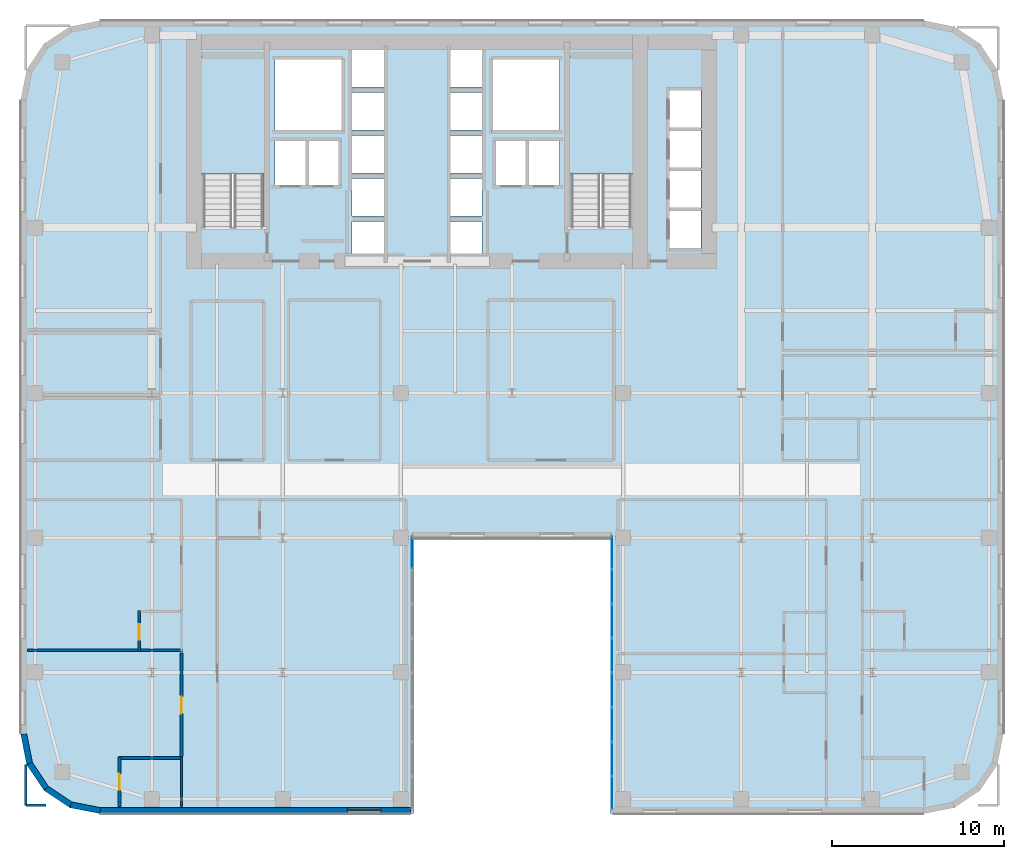
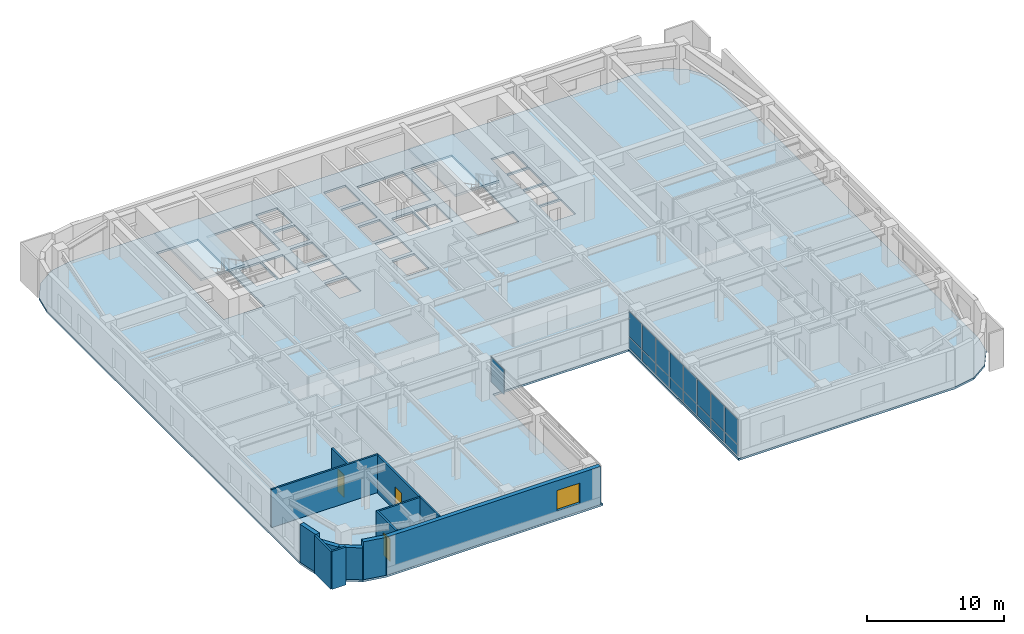
# One storey, part 13 of 24: 17 plates, 13 walls, 3 doors, 3 slabs, 1 window, 4 openings, 4 elements without a shape of their own.
"""IFC4 building model written with IfcOpenShell, lengths in metres."""

import ifcopenshell
import ifcopenshell.guid

model = None  # the IFC model being written
_history = None  # IfcOwnerHistory: only IFC2X3 demands one
_inside = {}  # id of a spatial element -> (the spatial element, [elements in it])
_under = {}  # id of a project, library or spatial element -> (it, [spatial elements below it])
_declared = {}  # id of a project -> (the project, [libraries it declares])
_typed = {}  # id of a type object -> (the type object, [elements of that type])
_made_of = {}  # id of a material, layer set ... -> (it, [elements and type objects made of it])


def new_model(schema):
    """Start an empty IFC model of exactly this schema.

    Asked for "IFC4X3", IfcOpenShell would pick the latest addendum, in which some entities
    have other attributes; the version numbers below select the first issue.
    IFC2X3 requires an IfcOwnerHistory on every rooted entity: one is made here for all.
    """
    global model, _history
    if schema == "IFC4X3":
        model = ifcopenshell.file(schema_version=(4, 3, 0, 0))
    else:
        model = ifcopenshell.file(schema=schema)
    _inside.clear()
    _under.clear()
    _declared.clear()
    _typed.clear()
    _made_of.clear()
    _history = None
    if model.schema == "IFC2X3":
        org = make("IfcOrganization", Name="unknown")
        user = make(
            "IfcPersonAndOrganization",
            ThePerson=make("IfcPerson", FamilyName="unknown"),
            TheOrganization=org,
        )
        app = make(
            "IfcApplication",
            ApplicationDeveloper=org,
            Version="unknown",
            ApplicationFullName="unknown",
            ApplicationIdentifier="unknown",
        )
        _history = make(
            "IfcOwnerHistory",
            OwningUser=user,
            OwningApplication=app,
            ChangeAction="ADDED",
            CreationDate=0,
        )
    return model


def make(cls, **values):
    """One entity of the class cls with the attributes given. An attribute that is None is left unset."""
    return model.create_entity(
        cls, **{name: value for name, value in values.items() if value is not None}
    )


def rooted(cls, **values):
    """An entity with a GlobalId (a new one), such as an element, a storey or a relation."""
    return make(cls, GlobalId=ifcopenshell.guid.new(), OwnerHistory=_history, **values)


def si_unit(unit_type, name, prefix=None):
    """IfcSIUnit, for example si_unit("LENGTHUNIT", "METRE", prefix="MILLI")."""
    return make("IfcSIUnit", UnitType=unit_type, Prefix=prefix, Name=name)


def assignment(units):
    """IfcUnitAssignment: the units of a project."""
    return None if units is None else make("IfcUnitAssignment", Units=units)


def point(xyz):
    """IfcCartesianPoint."""
    return None if xyz is None else make("IfcCartesianPoint", Coordinates=xyz)


def direction(xyz):
    """IfcDirection."""
    return None if xyz is None else make("IfcDirection", DirectionRatios=xyz)


def frame(location, z_axis=None, x_axis=None):
    """IfcAxis2Placement3D, a coordinate frame: its origin and axes. An axis left out is left unset."""
    return make(
        "IfcAxis2Placement3D",
        Location=point(location),
        Axis=direction(z_axis),
        RefDirection=direction(x_axis),
    )


def frame_2d(location, x_axis=None):
    """IfcAxis2Placement2D, a coordinate frame in the plane: its origin and x axis."""
    return make(
        "IfcAxis2Placement2D", Location=point(location), RefDirection=direction(x_axis)
    )


def origin():
    """The frame at (0, 0, 0) with its axes left unset."""
    return frame((0.0, 0.0, 0.0))


def origin_2d():
    """The frame at (0, 0) in the plane with its x axis left unset."""
    return frame_2d((0.0, 0.0))


def place(relative_to, where):
    """IfcLocalPlacement: puts the frame where relative to a parent placement (None: the world)."""
    return make(
        "IfcLocalPlacement", PlacementRelTo=relative_to, RelativePlacement=where
    )


def context(
    kind, dimensions, precision=None, world=None, true_north=None, identifier=None
):
    """IfcGeometricRepresentationContext, for example the 3D "Model" context."""
    return make(
        "IfcGeometricRepresentationContext",
        ContextIdentifier=identifier,
        ContextType=kind,
        CoordinateSpaceDimension=dimensions,
        Precision=precision,
        WorldCoordinateSystem=world,
        TrueNorth=true_north,
    )


def subcontext(parent, identifier, kind, view, scale=None):
    """IfcGeometricRepresentationSubContext, for example "Body" below "Model"."""
    return make(
        "IfcGeometricRepresentationSubContext",
        ContextIdentifier=identifier,
        ContextType=kind,
        ParentContext=parent,
        TargetScale=scale,
        TargetView=view,
    )


def project(units=None, contexts=None):
    """IfcProject with its units and contexts."""
    return rooted(
        "IfcProject",
        Name="project",
        RepresentationContexts=contexts,
        UnitsInContext=assignment(units),
    )


def spatial(cls, under=None, at=None, **own):
    """A site, building, storey or space (cls), placed at a placement, below another one or the project."""
    s = rooted(cls, ObjectPlacement=at, **own)
    if under is not None:
        _under.setdefault(under.id(), (under, []))[1].append(s)
    return s


def polyline(points):
    """IfcPolyline through the points."""
    return make("IfcPolyline", Points=[point(p) for p in points])


def profile(cls, at=None, kind="AREA", **sizes):
    """A parametric profile (cls). Its sizes go by their IFC names, for example OverallWidth=200.0."""
    return make(cls, ProfileType=kind, Position=at, **sizes)


def rectangle(**sizes):
    """IfcRectangleProfileDef."""
    return profile("IfcRectangleProfileDef", **sizes)


def outline(outer, holes=None, kind="AREA"):
    """IfcArbitraryClosedProfileDef: a profile drawn as a closed curve; with holes, ...WithVoids."""
    if holes is None:
        return make("IfcArbitraryClosedProfileDef", ProfileType=kind, OuterCurve=outer)
    return make(
        "IfcArbitraryProfileDefWithVoids",
        ProfileType=kind,
        OuterCurve=outer,
        InnerCurves=holes,
    )


def extrude(swept, where, along, depth):
    """IfcExtrudedAreaSolid: the profile swept, set in the frame where, extruded along a direction by depth."""
    return make(
        "IfcExtrudedAreaSolid",
        SweptArea=swept,
        Position=where,
        ExtrudedDirection=direction(along),
        Depth=depth,
    )


def shape(context_of_items, identifier, shape_type, items):
    """IfcShapeRepresentation: the items that make up one representation, for example the "Body"."""
    return make(
        "IfcShapeRepresentation",
        ContextOfItems=context_of_items,
        RepresentationIdentifier=identifier,
        RepresentationType=shape_type,
        Items=items,
    )


def source(mapping_origin, context_of_items, identifier, shape_type, items):
    """IfcRepresentationMap: a shape defined once, which mapped items show again and again."""
    return make(
        "IfcRepresentationMap",
        MappingOrigin=mapping_origin,
        MappedRepresentation=shape(context_of_items, identifier, shape_type, items),
    )


def transform(
    local_origin,
    x_axis=None,
    y_axis=None,
    z_axis=None,
    scale=None,
    scale2=None,
    scale3=None,
    uniform=True,
):
    """IfcCartesianTransformationOperator3D, or its non-uniform kind. x_axis, y_axis, z_axis: its Axis1, 2, 3."""
    if uniform:
        return make(
            "IfcCartesianTransformationOperator3D",
            Axis1=direction(x_axis),
            Axis2=direction(y_axis),
            LocalOrigin=point(local_origin),
            Scale=scale,
            Axis3=direction(z_axis),
        )
    return make(
        "IfcCartesianTransformationOperator3DnonUniform",
        Axis1=direction(x_axis),
        Axis2=direction(y_axis),
        LocalOrigin=point(local_origin),
        Scale=scale,
        Axis3=direction(z_axis),
        Scale2=scale2,
        Scale3=scale3,
    )


def mapped(mapping_source, mapping_target):
    """IfcMappedItem: shows the shape of a source again, moved by a transform."""
    return make(
        "IfcMappedItem", MappingSource=mapping_source, MappingTarget=mapping_target
    )


def material(Name=None, Category=None):
    """IfcMaterial."""
    return make("IfcMaterial", Name=Name, Category=Category)


def layer(
    of_material, thickness, ventilated=None, Name=None, Category=None, Priority=None
):
    """IfcMaterialLayer: one layer of a wall or slab, of a material (None: an air gap)."""
    return make(
        "IfcMaterialLayer",
        Material=of_material,
        LayerThickness=thickness,
        IsVentilated=ventilated,
        Name=Name,
        Category=Category,
        Priority=Priority,
    )


def layer_set(layers, Name=None):
    """IfcMaterialLayerSet."""
    return make("IfcMaterialLayerSet", MaterialLayers=layers, LayerSetName=Name)


def made_of(thing, what):
    """Note that an element or type object is made of a material, layer set ...; save() writes the relation."""
    if what is not None:
        _made_of.setdefault(what.id(), (what, []))[1].append(thing)
    return thing


def type_object(cls, material=None, **own):
    """A type object (cls), such as IfcWallType, which elements share."""
    return made_of(rooted(cls, **own), material)


def type_shapes(of_type, sources):
    """Give a type object the sources (RepresentationMaps) that its elements show as mapped items."""
    of_type.RepresentationMaps = sources


def element(
    cls,
    number,
    at=None,
    inside=None,
    cuts=None,
    type_object=None,
    material=None,
    context=None,
    identifier="Body",
    shape_type=None,
    held_by="IfcProductDefinitionShape",
    body=None,
    shapes=None,
    **own,
):
    """One element of the class cls, such as IfcWall. Its Tag is "e" and its number.

    at: its placement. inside: the storey or other place that contains it. cuts: it is an
    opening in that element (IfcRelVoidsElement). A single representation is given by context,
    identifier, shape_type and body (its items); several are given by shapes. held_by: the class
    of the entity that holds the representations. save() writes the other relations.
    """
    e = rooted(cls, Tag="e%d" % number, ObjectPlacement=at, **own)
    if body is not None:
        shapes = [shape(context, identifier, shape_type, body)]
    if shapes is not None:
        e.Representation = make(held_by, Representations=shapes)
    if inside is not None:
        _inside.setdefault(inside.id(), (inside, []))[1].append(e)
    if cuts is not None:
        rooted(
            "IfcRelVoidsElement", RelatingBuildingElement=cuts, RelatedOpeningElement=e
        )
    if type_object is not None:
        _typed.setdefault(type_object.id(), (type_object, []))[1].append(e)
    return made_of(e, material)


def fill(opening, filler):
    """IfcRelFillsElement: the door or window that sits in an opening."""
    return rooted(
        "IfcRelFillsElement",
        RelatingOpeningElement=opening,
        RelatedBuildingElement=filler,
    )


def aggregate(whole, parts):
    """IfcRelAggregates: a whole, such as a stair, and the parts it consists of."""
    return rooted("IfcRelAggregates", RelatingObject=whole, RelatedObjects=parts)


def save(model, path):
    """Write the relations noted so far, then the file.

    IfcRelAggregates (storeys below a building ...), IfcRelContainedInSpatialStructure (elements
    in a storey), IfcRelDefinesByType, IfcRelAssociatesMaterial and IfcRelDeclares: one each for
    every whole, place, type object, material and project.
    """
    for whole, parts in _under.values():
        aggregate(whole, parts)
    for where, things in _inside.values():
        rooted(
            "IfcRelContainedInSpatialStructure",
            RelatedElements=things,
            RelatingStructure=where,
        )
    for kind, things in _typed.values():
        rooted("IfcRelDefinesByType", RelatedObjects=things, RelatingType=kind)
    for what, things in _made_of.values():
        rooted("IfcRelAssociatesMaterial", RelatedObjects=things, RelatingMaterial=what)
    for by, libraries in _declared.values():
        rooted("IfcRelDeclares", RelatingContext=by, RelatedDefinitions=libraries)
    model.write(path)


model = new_model("IFC4")

# Units and contexts
model_context = context("Model", 3, precision=1e-05, world=origin(), true_north=direction((0.0, 1.0)))
body_context = subcontext(model_context, "Body", "Model", "MODEL_VIEW")
ifc_project = project(units=[si_unit("LENGTHUNIT", "METRE"), si_unit("AREAUNIT", "SQUARE_METRE"), si_unit("VOLUMEUNIT", "CUBIC_METRE"), si_unit("PLANEANGLEUNIT", "RADIAN"), si_unit("MASSUNIT", "GRAM", prefix="KILO")], contexts=[model_context])

# Site, building, storey
site_placement = place(None, origin())
site = spatial("IfcSite", under=ifc_project, at=site_placement, CompositionType="ELEMENT")
building_placement = place(site_placement, origin())
building = spatial("IfcBuilding", under=site, at=building_placement, Name="Tolvann Quenvar Hotel", CompositionType="ELEMENT")
storey_placement = place(building_placement, frame((0.0, 0.0, 88.800048828125)))
storey = spatial("IfcBuildingStorey", under=building, at=storey_placement, Name="L22", CompositionType="ELEMENT", Elevation=88.800048828125)

# Stair, slab
ifc_material_1 = material(Name="Concrete N40 (40 MPa)", Category="concrete")
stair_type = type_object("IfcStairType", Name="STAIR", PredefinedType="HALF_TURN_STAIR", material=ifc_material_1)
stair_1_placement = place(storey_placement, origin())
stair_1 = element("IfcStair", 1, at=stair_1_placement, inside=storey, type_object=stair_type, Name="L22 ST-C1", PredefinedType="HALF_TURN_STAIR")
ifc_layer_1 = layer(ifc_material_1, 0.199951171875)
ifc_layer_set_1 = layer_set([ifc_layer_1], Name="Concrete N40 (40 MPa)")
slab_type_1 = type_object("IfcSlabType", Name="SLAB_LANDING", PredefinedType="LANDING", material=ifc_layer_set_1)
slab_1_placement = place(storey_placement, frame((0.0, 0.0, 1.574951171875)))
slab_1 = element("IfcSlab", 2, at=slab_1_placement, type_object=slab_type_1, Name="ST-C1 landing 1", PredefinedType="LANDING", context=body_context, shape_type="SweptSolid", body=[
    extrude(outline(polyline([(14.179931640625, 37.10498046875), (14.179931640625, 43.8798828125), (10.469970703125, 43.8798828125), (10.469970703125, 37.10498046875), (14.179931640625, 37.10498046875)])), origin(), (0.0, 0.0, 1.0), 0.199951171875),
])
aggregate(stair_1, [slab_1])

stair_2_placement = place(storey_placement, origin())
stair_2 = element("IfcStair", 3, at=stair_2_placement, inside=storey, type_object=stair_type, Name="L22 ST-C2", PredefinedType="HALF_TURN_STAIR")
slab_2_placement = place(storey_placement, frame((0.0, 0.0, 1.574951171875)))
slab_2 = element("IfcSlab", 4, at=slab_2_placement, type_object=slab_type_1, Name="ST-C2 landing 1", PredefinedType="LANDING", context=body_context, shape_type="SweptSolid", body=[
    extrude(outline(polyline([(35.530029296875, 37.10498046875), (35.530029296875, 43.8798828125), (31.820068359375, 43.8798828125), (31.820068359375, 37.10498046875), (35.530029296875, 37.10498046875)])), origin(), (0.0, 0.0, 1.0), 0.199951171875),
])
aggregate(stair_2, [slab_2])

# Slab
ifc_layer_2 = layer(ifc_material_1, 0.179931640625)
ifc_layer_set_2 = layer_set([ifc_layer_2], Name="Concrete N40 (40 MPa)")
slab_type_2 = type_object("IfcSlabType", Name="SLAB_TWR_180", PredefinedType="FLOOR", material=ifc_layer_set_2)
slab_3_placement = place(storey_placement, frame((0.0, 0.0, -0.179931640625)))
element("IfcSlab", 5, at=slab_3_placement, inside=storey, type_object=slab_type_2, Name="Level L22 Structural Floor Slab", PredefinedType="FLOOR", context=body_context, shape_type="SweptSolid", body=[
    extrude(outline(polyline([(0.0, 4.60009765625), (0.35009765625, 2.839599609375), (1.347412109375, 1.347412109375), (2.839599609375, 0.35009765625), (4.60009765625, 0.0), (22.800048828125, 0.0), (22.800048828125, 16.0), (34.199951171875, 16.0), (34.199951171875, 0.0), (52.39990234375, 0.0), (54.160400390625, 0.35009765625), (55.652587890625, 1.347412109375), (56.64990234375, 2.839599609375), (57.0, 4.60009765625), (57.0, 41.39990234375), (56.64990234375, 43.160400390625), (55.652587890625, 44.652587890625), (54.160400390625, 45.64990234375), (52.39990234375, 46.0), (4.60009765625, 46.0), (2.839599609375, 45.64990234375), (1.347412109375, 44.652587890625), (0.35009765625, 43.160400390625), (0.0, 41.39990234375), (0.0, 4.60009765625)]), holes=[polyline([(37.6298828125, 41.949951171875), (39.469970703125, 41.949951171875), (39.469970703125, 39.77001953125), (37.6298828125, 39.77001953125), (37.6298828125, 41.949951171875)]), polyline([(37.6298828125, 39.6298828125), (39.469970703125, 39.6298828125), (39.469970703125, 37.449951171875), (37.6298828125, 37.449951171875), (37.6298828125, 39.6298828125)]), polyline([(37.6298828125, 37.31005859375), (39.469970703125, 37.31005859375), (39.469970703125, 35.1298828125), (37.6298828125, 35.1298828125), (37.6298828125, 37.31005859375)]), polyline([(37.6298828125, 34.989990234375), (39.469970703125, 34.989990234375), (39.469970703125, 32.81005859375), (37.6298828125, 32.81005859375), (37.6298828125, 34.989990234375)]), polyline([(31.949951171875, 43.800048828125), (35.39990234375, 43.800048828125), (35.39990234375, 34.02490234375), (31.949951171875, 34.02490234375), (31.949951171875, 43.800048828125)]), polyline([(31.25, 39.02001953125), (31.25, 36.47998046875), (29.449951171875, 36.47998046875), (29.449951171875, 39.02001953125), (31.25, 39.02001953125)]), polyline([(31.25, 43.75), (31.25, 39.64990234375), (27.39990234375, 39.64990234375), (27.39990234375, 43.75), (31.25, 43.75)]), polyline([(27.574951171875, 39.02001953125), (29.324951171875, 39.02001953125), (29.324951171875, 36.47998046875), (27.574951171875, 36.47998046875), (27.574951171875, 39.02001953125)]), polyline([(26.77001953125, 36.840087890625), (26.77001953125, 34.659912109375), (24.929931640625, 34.659912109375), (24.929931640625, 36.840087890625), (26.77001953125, 36.840087890625)]), polyline([(26.77001953125, 44.340087890625), (26.77001953125, 42.159912109375), (24.929931640625, 42.159912109375), (24.929931640625, 44.340087890625), (26.77001953125, 44.340087890625)]), polyline([(26.77001953125, 41.840087890625), (26.77001953125, 39.659912109375), (24.929931640625, 39.659912109375), (24.929931640625, 41.840087890625), (26.77001953125, 41.840087890625)]), polyline([(26.77001953125, 39.340087890625), (26.77001953125, 37.159912109375), (24.929931640625, 37.159912109375), (24.929931640625, 39.340087890625), (26.77001953125, 39.340087890625)]), polyline([(24.929931640625, 34.340087890625), (26.77001953125, 34.340087890625), (26.77001953125, 32.159912109375), (24.929931640625, 32.159912109375), (24.929931640625, 34.340087890625)]), polyline([(21.070068359375, 44.340087890625), (21.070068359375, 42.159912109375), (19.22998046875, 42.159912109375), (19.22998046875, 44.340087890625), (21.070068359375, 44.340087890625)]), polyline([(19.22998046875, 41.840087890625), (21.070068359375, 41.840087890625), (21.070068359375, 39.659912109375), (19.22998046875, 39.659912109375), (19.22998046875, 41.840087890625)]), polyline([(21.070068359375, 39.340087890625), (21.070068359375, 37.159912109375), (19.22998046875, 37.159912109375), (19.22998046875, 39.340087890625), (21.070068359375, 39.340087890625)]), polyline([(19.22998046875, 36.840087890625), (21.070068359375, 36.840087890625), (21.070068359375, 34.659912109375), (19.22998046875, 34.659912109375), (19.22998046875, 36.840087890625)]), polyline([(19.22998046875, 34.340087890625), (21.070068359375, 34.340087890625), (21.070068359375, 32.159912109375), (19.22998046875, 32.159912109375), (19.22998046875, 34.340087890625)]), polyline([(18.60009765625, 43.75), (18.60009765625, 39.64990234375), (14.75, 39.64990234375), (14.75, 43.75), (18.60009765625, 43.75)]), polyline([(16.675048828125, 39.02001953125), (18.425048828125, 39.02001953125), (18.425048828125, 36.47998046875), (16.675048828125, 36.47998046875), (16.675048828125, 39.02001953125)]), polyline([(16.550048828125, 39.02001953125), (16.550048828125, 36.47998046875), (14.75, 36.47998046875), (14.75, 39.02001953125), (16.550048828125, 39.02001953125)]), polyline([(10.60009765625, 43.800048828125), (14.050048828125, 43.800048828125), (14.050048828125, 34.02490234375), (10.60009765625, 34.02490234375), (10.60009765625, 43.800048828125)])]), origin(), (0.0, 0.0, 1.0), 0.179931640625),
])

# Curtain wall, plates
ifc_material_2 = material(Name="Thermally broken anodised architectural aluminium 6063-T6 and laminated low-E glass", Category="aluminium")
ifc_layer_3 = layer(ifc_material_2, 0.179931640625)
ifc_layer_set_3 = layer_set([ifc_layer_3], Name="Thermally broken anodised architectural aluminium 6063-T6 and laminated low-E glass")
curtain_wall_type = type_object("IfcCurtainWallType", Name="CW_SYS_SLOT_03", PredefinedType="USERDEFINED", material=ifc_layer_set_3)
curtain_wall_1_placement = place(storey_placement, origin())
curtain_wall_1 = element("IfcCurtainWall", 6, at=curtain_wall_1_placement, inside=storey, type_object=curtain_wall_type, Name="Curtain Wall CW-SLOT-03 (CWR-L22-E07)", ObjectType="UNITISED CURTAIN WALL", PredefinedType="USERDEFINED")
ifc_material_3 = material(Name="Low-iron laminated double glazing with solar-control coating", Category="glass")
ifc_layer_4 = layer(ifc_material_3, 0.028076171875)
ifc_layer_set_4 = layer_set([ifc_layer_4], Name="Low-iron laminated double glazing with solar-control coating")
plate_type = type_object("IfcPlateType", Name="CW_PAN_VISION_28", PredefinedType="CURTAIN_PANEL", material=ifc_layer_set_4)
shared_shape_1 = source(origin(), body_context, "Body", "SweptSolid", [
    extrude(rectangle(XDim=1.89501953125, YDim=0.028076171875, at=origin_2d()), origin(), (0.0, 0.0, 1.0), 0.9599609375),
])
plate_1_placement = place(storey_placement, frame((34.2900390625, 15.157470703125, 0.06005859375), z_axis=(0.0, 0.0, 1.0), x_axis=(0.0, -1.0, 0.0)))
plate_1 = element("IfcPlate", 7, at=plate_1_placement, type_object=plate_type, Name="CW-SLOT-03 panel 1.1", PredefinedType="CURTAIN_PANEL", context=body_context, shape_type="MappedRepresentation", body=[
    mapped(shared_shape_1, transform((0.0, 0.0, 0.0), x_axis=(1.0, 0.0, 0.0), y_axis=(0.0, 1.0, 0.0), z_axis=(0.0, 0.0, 1.0), scale=1.0)),
])
plate_2_placement = place(storey_placement, frame((34.2900390625, 1.1923828125, 0.06005859375), z_axis=(0.0, 0.0, 1.0), x_axis=(0.0, -1.0, 0.0)))
plate_2 = element("IfcPlate", 8, at=plate_2_placement, type_object=plate_type, Name="CW-SLOT-03 panel 8.1", PredefinedType="CURTAIN_PANEL", context=body_context, shape_type="MappedRepresentation", body=[
    mapped(shared_shape_1, transform((0.0, 0.0, 0.0), x_axis=(1.0, 0.0, 0.0), y_axis=(0.0, 1.0, 0.0), z_axis=(0.0, 0.0, 1.0), scale=1.0)),
])

# Curtain wall, plate
curtain_wall_2_placement = place(storey_placement, origin())
curtain_wall_2 = element("IfcCurtainWall", 9, at=curtain_wall_2_placement, inside=storey, type_object=curtain_wall_type, Name="Curtain Wall CW-SLOT-03 (CWR-L22-E05)", ObjectType="UNITISED CURTAIN WALL", PredefinedType="USERDEFINED")
shared_shape_2 = source(origin(), body_context, "Body", "SweptSolid", [
    extrude(rectangle(XDim=1.89501953125, YDim=0.028076171875, at=origin_2d()), origin(), (0.0, 0.0, 1.0), 2.22998046875),
])
plate_3_placement = place(storey_placement, frame((22.7099609375, 15.157470703125, 1.080078125), z_axis=(0.0, 0.0, 1.0), x_axis=(0.0, 1.0, 0.0)))
plate_3 = element("IfcPlate", 10, at=plate_3_placement, type_object=plate_type, Name="CW-SLOT-03 panel 8.2", PredefinedType="CURTAIN_PANEL", context=body_context, shape_type="MappedRepresentation", body=[
    mapped(shared_shape_2, transform((0.0, 0.0, 0.0), x_axis=(1.0, 0.0, 0.0), y_axis=(0.0, 1.0, 0.0), z_axis=(0.0, 0.0, 1.0), scale=1.0)),
])
aggregate(curtain_wall_2, [plate_3])

# Plate
plate_4_placement = place(storey_placement, frame((34.2900390625, 15.157470703125, 1.080078125), z_axis=(0.0, 0.0, 1.0), x_axis=(0.0, -1.0, 0.0)))
plate_4 = element("IfcPlate", 11, at=plate_4_placement, type_object=plate_type, Name="CW-SLOT-03 panel 1.2", PredefinedType="CURTAIN_PANEL", context=body_context, shape_type="MappedRepresentation", body=[
    mapped(shared_shape_2, transform((0.0, 0.0, 0.0), x_axis=(1.0, 0.0, 0.0), y_axis=(0.0, 1.0, 0.0), z_axis=(0.0, 0.0, 1.0), scale=1.0)),
])

plate_5_placement = place(storey_placement, frame((34.2900390625, 1.1923828125, 1.080078125), z_axis=(0.0, 0.0, 1.0), x_axis=(0.0, -1.0, 0.0)))
plate_5 = element("IfcPlate", 12, at=plate_5_placement, type_object=plate_type, Name="CW-SLOT-03 panel 8.2", PredefinedType="CURTAIN_PANEL", context=body_context, shape_type="MappedRepresentation", body=[
    mapped(shared_shape_2, transform((0.0, 0.0, 0.0), x_axis=(1.0, 0.0, 0.0), y_axis=(0.0, 1.0, 0.0), z_axis=(0.0, 0.0, 1.0), scale=1.0)),
])

shared_shape_3 = source(origin(), body_context, "Body", "SweptSolid", [
    extrude(rectangle(XDim=1.929931640625, YDim=0.028076171875, at=origin_2d()), origin(), (0.0, 0.0, 1.0), 0.9599609375),
])
plate_6_placement = place(storey_placement, frame((34.2900390625, 13.175048828125, 0.06005859375), z_axis=(0.0, 0.0, 1.0), x_axis=(0.0, -1.0, 0.0)))
plate_6 = element("IfcPlate", 13, at=plate_6_placement, type_object=plate_type, Name="CW-SLOT-03 panel 2.1", PredefinedType="CURTAIN_PANEL", context=body_context, shape_type="MappedRepresentation", body=[
    mapped(shared_shape_3, transform((0.0, 0.0, 0.0), x_axis=(1.0, 0.0, 0.0), y_axis=(0.0, 1.0, 0.0), z_axis=(0.0, 0.0, 1.0), scale=1.0)),
])

plate_7_placement = place(storey_placement, frame((34.2900390625, 11.175048828125, 0.06005859375), z_axis=(0.0, 0.0, 1.0), x_axis=(0.0, -1.0, 0.0)))
plate_7 = element("IfcPlate", 14, at=plate_7_placement, type_object=plate_type, Name="CW-SLOT-03 panel 3.1", PredefinedType="CURTAIN_PANEL", context=body_context, shape_type="MappedRepresentation", body=[
    mapped(shared_shape_3, transform((0.0, 0.0, 0.0), x_axis=(1.0, 0.0, 0.0), y_axis=(0.0, 1.0, 0.0), z_axis=(0.0, 0.0, 1.0), scale=1.0)),
])

plate_8_placement = place(storey_placement, frame((34.2900390625, 9.175048828125, 0.06005859375), z_axis=(0.0, 0.0, 1.0), x_axis=(0.0, -1.0, 0.0)))
plate_8 = element("IfcPlate", 15, at=plate_8_placement, type_object=plate_type, Name="CW-SLOT-03 panel 4.1", PredefinedType="CURTAIN_PANEL", context=body_context, shape_type="MappedRepresentation", body=[
    mapped(shared_shape_3, transform((0.0, 0.0, 0.0), x_axis=(1.0, 0.0, 0.0), y_axis=(0.0, 1.0, 0.0), z_axis=(0.0, 0.0, 1.0), scale=1.0)),
])

plate_9_placement = place(storey_placement, frame((34.2900390625, 7.175048828125, 0.06005859375), z_axis=(0.0, 0.0, 1.0), x_axis=(0.0, -1.0, 0.0)))
plate_9 = element("IfcPlate", 16, at=plate_9_placement, type_object=plate_type, Name="CW-SLOT-03 panel 5.1", PredefinedType="CURTAIN_PANEL", context=body_context, shape_type="MappedRepresentation", body=[
    mapped(shared_shape_3, transform((0.0, 0.0, 0.0), x_axis=(1.0, 0.0, 0.0), y_axis=(0.0, 1.0, 0.0), z_axis=(0.0, 0.0, 1.0), scale=1.0)),
])

plate_10_placement = place(storey_placement, frame((34.2900390625, 5.175048828125, 0.06005859375), z_axis=(0.0, 0.0, 1.0), x_axis=(0.0, -1.0, 0.0)))
plate_10 = element("IfcPlate", 17, at=plate_10_placement, type_object=plate_type, Name="CW-SLOT-03 panel 6.1", PredefinedType="CURTAIN_PANEL", context=body_context, shape_type="MappedRepresentation", body=[
    mapped(shared_shape_3, transform((0.0, 0.0, 0.0), x_axis=(1.0, 0.0, 0.0), y_axis=(0.0, 1.0, 0.0), z_axis=(0.0, 0.0, 1.0), scale=1.0)),
])

plate_11_placement = place(storey_placement, frame((34.2900390625, 3.175048828125, 0.06005859375), z_axis=(0.0, 0.0, 1.0), x_axis=(0.0, -1.0, 0.0)))
plate_11 = element("IfcPlate", 18, at=plate_11_placement, type_object=plate_type, Name="CW-SLOT-03 panel 7.1", PredefinedType="CURTAIN_PANEL", context=body_context, shape_type="MappedRepresentation", body=[
    mapped(shared_shape_3, transform((0.0, 0.0, 0.0), x_axis=(1.0, 0.0, 0.0), y_axis=(0.0, 1.0, 0.0), z_axis=(0.0, 0.0, 1.0), scale=1.0)),
])

shared_shape_4 = source(origin(), body_context, "Body", "SweptSolid", [
    extrude(rectangle(XDim=1.929931640625, YDim=0.028076171875, at=origin_2d()), origin(), (0.0, 0.0, 1.0), 2.22998046875),
])
type_shapes(plate_type, [shared_shape_1, shared_shape_2, shared_shape_3, shared_shape_4])
plate_12_placement = place(storey_placement, frame((34.2900390625, 13.175048828125, 1.080078125), z_axis=(0.0, 0.0, 1.0), x_axis=(0.0, -1.0, 0.0)))
plate_12 = element("IfcPlate", 19, at=plate_12_placement, type_object=plate_type, Name="CW-SLOT-03 panel 2.2", PredefinedType="CURTAIN_PANEL", context=body_context, shape_type="MappedRepresentation", body=[
    mapped(shared_shape_4, transform((0.0, 0.0, 0.0), x_axis=(1.0, 0.0, 0.0), y_axis=(0.0, 1.0, 0.0), z_axis=(0.0, 0.0, 1.0), scale=1.0)),
])

plate_13_placement = place(storey_placement, frame((34.2900390625, 11.175048828125, 1.080078125), z_axis=(0.0, 0.0, 1.0), x_axis=(0.0, -1.0, 0.0)))
plate_13 = element("IfcPlate", 20, at=plate_13_placement, type_object=plate_type, Name="CW-SLOT-03 panel 3.2", PredefinedType="CURTAIN_PANEL", context=body_context, shape_type="MappedRepresentation", body=[
    mapped(shared_shape_4, transform((0.0, 0.0, 0.0), x_axis=(1.0, 0.0, 0.0), y_axis=(0.0, 1.0, 0.0), z_axis=(0.0, 0.0, 1.0), scale=1.0)),
])

plate_14_placement = place(storey_placement, frame((34.2900390625, 9.175048828125, 1.080078125), z_axis=(0.0, 0.0, 1.0), x_axis=(0.0, -1.0, 0.0)))
plate_14 = element("IfcPlate", 21, at=plate_14_placement, type_object=plate_type, Name="CW-SLOT-03 panel 4.2", PredefinedType="CURTAIN_PANEL", context=body_context, shape_type="MappedRepresentation", body=[
    mapped(shared_shape_4, transform((0.0, 0.0, 0.0), x_axis=(1.0, 0.0, 0.0), y_axis=(0.0, 1.0, 0.0), z_axis=(0.0, 0.0, 1.0), scale=1.0)),
])

plate_15_placement = place(storey_placement, frame((34.2900390625, 7.175048828125, 1.080078125), z_axis=(0.0, 0.0, 1.0), x_axis=(0.0, -1.0, 0.0)))
plate_15 = element("IfcPlate", 22, at=plate_15_placement, type_object=plate_type, Name="CW-SLOT-03 panel 5.2", PredefinedType="CURTAIN_PANEL", context=body_context, shape_type="MappedRepresentation", body=[
    mapped(shared_shape_4, transform((0.0, 0.0, 0.0), x_axis=(1.0, 0.0, 0.0), y_axis=(0.0, 1.0, 0.0), z_axis=(0.0, 0.0, 1.0), scale=1.0)),
])

plate_16_placement = place(storey_placement, frame((34.2900390625, 5.175048828125, 1.080078125), z_axis=(0.0, 0.0, 1.0), x_axis=(0.0, -1.0, 0.0)))
plate_16 = element("IfcPlate", 23, at=plate_16_placement, type_object=plate_type, Name="CW-SLOT-03 panel 6.2", PredefinedType="CURTAIN_PANEL", context=body_context, shape_type="MappedRepresentation", body=[
    mapped(shared_shape_4, transform((0.0, 0.0, 0.0), x_axis=(1.0, 0.0, 0.0), y_axis=(0.0, 1.0, 0.0), z_axis=(0.0, 0.0, 1.0), scale=1.0)),
])

plate_17_placement = place(storey_placement, frame((34.2900390625, 3.175048828125, 1.080078125), z_axis=(0.0, 0.0, 1.0), x_axis=(0.0, -1.0, 0.0)))
plate_17 = element("IfcPlate", 24, at=plate_17_placement, type_object=plate_type, Name="CW-SLOT-03 panel 7.2", PredefinedType="CURTAIN_PANEL", context=body_context, shape_type="MappedRepresentation", body=[
    mapped(shared_shape_4, transform((0.0, 0.0, 0.0), x_axis=(1.0, 0.0, 0.0), y_axis=(0.0, 1.0, 0.0), z_axis=(0.0, 0.0, 1.0), scale=1.0)),
])

aggregate(curtain_wall_1, [plate_1, plate_4, plate_6, plate_12, plate_7, plate_13, plate_8, plate_14, plate_9, plate_15, plate_10, plate_16, plate_11, plate_17, plate_2, plate_5])

# Walls
ifc_material_4 = material(Name="Kiln-fired red and buff architectural clay brickwork and terracotta masonry", Category="masonry")
ifc_layer_5 = layer(ifc_material_4, 0.35009765625)
ifc_layer_set_5 = layer_set([ifc_layer_5], Name="Kiln-fired red and buff architectural clay brickwork and terracotta masonry")
wall_type_1 = type_object("IfcWallType", Name="WALL_EXT_BRICK_350", PredefinedType="SOLIDWALL", material=ifc_layer_set_5)
for number, where, z_axis, x_axis, name in (
    (25, (0.514892578125, 2.907958984375, 0.0), (0.0, 0.0, 1.0), (0.55554893791, -0.831483840845, 0.0), "Exterior Chicago Brick Wall L22-E01"),
    (26, (1.473388671875, 1.473388671875, 0.0), (0.0, 0.0, 1.0), (0.831483840845, -0.55554893791, 0.0), "Exterior Chicago Brick Wall L22-E02"),
):
    element("IfcWall", number, at=place(storey_placement, frame(where, z_axis=z_axis, x_axis=x_axis)), inside=storey, type_object=wall_type_1, Name=name, PredefinedType="SOLIDWALL", context=body_context, shape_type="SweptSolid", body=[
        extrude(rectangle(XDim=1.725341796875, YDim=0.35009765625, at=frame_2d((0.86279296875, 0.0))), origin(), (0.0, 0.0, 1.0), 2.83203125),
    ])
wall_1_placement = place(storey_placement, frame((2.907958984375, 0.514892578125, 0.0), z_axis=(0.0, 0.0, 1.0), x_axis=(0.980800971659, -0.195011420161, 0.0)))
element("IfcWall", 27, at=wall_1_placement, inside=storey, type_object=wall_type_1, Name="Exterior Chicago Brick Wall L22-E03", PredefinedType="SOLIDWALL", context=body_context, shape_type="SweptSolid", body=[
    extrude(rectangle(XDim=1.74267578125, YDim=0.35009765625, at=frame_2d((0.871337890625, 0.0))), origin(), (0.0, 0.0, 1.0), 3.369873046875),
])

# Wall, opening, window
wall_2_placement = place(storey_placement, frame((4.6171875, 0.175048828125, 0.0), z_axis=(0.0, 0.0, 1.0), x_axis=(1.0, 0.0, 0.0)))
wall_2 = element("IfcWall", 28, at=wall_2_placement, inside=storey, type_object=wall_type_1, Name="Exterior Chicago Brick Wall L22-E04", PredefinedType="SOLIDWALL", context=body_context, shape_type="SweptSolid", body=[
    extrude(rectangle(XDim=18.0078125, YDim=0.35009765625, at=frame_2d((9.00390625, 0.0))), origin(), (0.0, 0.0, 1.0), 3.369873046875),
])
opening_1_placement = place(wall_2_placement, frame((14.33203125, 0.0, 0.679931640625)))
opening_1 = element("IfcOpeningElement", 29, at=opening_1_placement, cuts=wall_2, Name="Opening W-10", PredefinedType="OPENING", context=body_context, shape_type="SweptSolid", body=[
    extrude(rectangle(XDim=1.949951171875, YDim=1.820068359375, at=frame_2d((0.97509765625, 0.91015625))), frame((0.0, 0.18505859375, 0.0), z_axis=(0.0, -1.0, 0.0), x_axis=(1.0, 0.0, 0.0)), (0.0, 0.0, 1.0), 0.3701171875),
])
ifc_material_5 = material(Name="Thermally broken bronze-anodised aluminium frame with double low-E glazing", Category="aluminium")
window_type = type_object("IfcWindowType", Name="WIN_CLB_1950x1850", PartitioningType="DOUBLE_PANEL_VERTICAL", PredefinedType="WINDOW", material=ifc_material_5)
shared_shape_5 = source(origin(), body_context, "Body", "SweptSolid", [
    extrude(rectangle(XDim=1.949951171875, YDim=1.820068359375, at=frame_2d((0.97509765625, 0.91015625))), frame((0.0, 0.090087890625, 0.0), z_axis=(0.0, -1.0, 0.0), x_axis=(1.0, 0.0, 0.0)), (0.0, 0.0, 1.0), 0.06005859375),
])
type_shapes(window_type, [shared_shape_5])
window_placement = place(opening_1_placement, origin())
window = element("IfcWindow", 30, at=window_placement, inside=storey, type_object=window_type, Name="Chicago Window W-10 (EW-L22-E04-W01)", OverallHeight=1.820068359375, OverallWidth=1.949951171875, PartitioningType="DOUBLE_PANEL_VERTICAL", PredefinedType="WINDOW", context=body_context, shape_type="MappedRepresentation", body=[
    mapped(shared_shape_5, transform((0.0, 0.0, 0.0), x_axis=(1.0, 0.0, 0.0), y_axis=(0.0, 1.0, 0.0), z_axis=(0.0, 0.0, 1.0), scale=1.0)),
])
fill(opening_1, window)

# Walls
wall_3_placement = place(storey_placement, frame((0.175048828125, 4.6171875, 0.0), z_axis=(0.0, 0.0, 1.0), x_axis=(0.195011420161, -0.980800971659, 0.0)))
element("IfcWall", 31, at=wall_3_placement, inside=storey, type_object=wall_type_1, Name="Exterior Chicago Brick Wall L22-E24", PredefinedType="SOLIDWALL", context=body_context, shape_type="SweptSolid", body=[
    extrude(rectangle(XDim=1.74267578125, YDim=0.35009765625, at=frame_2d((0.871337890625, 0.0))), origin(), (0.0, 0.0, 1.0), 3.369873046875),
])
ifc_material_6 = material(Name="Moisture-resistant acoustic plumbing wall assembly")
ifc_layer_6 = layer(ifc_material_6, 0.1201171875)
ifc_layer_set_6 = layer_set([ifc_layer_6], Name="Moisture-resistant acoustic plumbing wall assembly")
wall_type_2 = type_object("IfcWallType", Name="WALL_PART_BATH_120", PredefinedType="PLUMBINGWALL", material=ifc_layer_set_6)
wall_4_placement = place(storey_placement, frame((9.330078125, 0.405029296875, 0.0), z_axis=(0.0, 0.0, 1.0), x_axis=(0.0, 1.0, 0.0)))
element("IfcWall", 32, at=wall_4_placement, inside=storey, type_object=wall_type_2, Name="Non-Rated Plumbing Partition PT-SPC-L22-ENS-WO01-E", PredefinedType="PLUMBINGWALL", context=body_context, shape_type="SweptSolid", body=[
    extrude(rectangle(XDim=2.89501953125, YDim=0.1201171875, at=frame_2d((1.447509765625, 0.0))), origin(), (0.0, 0.0, 1.0), 3.369873046875),
])

# Wall, opening, door
ifc_material_7 = material(Name="Acoustic twin-stud fire-rated gypsum plasterboard partition")
ifc_layer_7 = layer(ifc_material_7, 0.14990234375)
ifc_layer_set_7 = layer_set([ifc_layer_7], Name="Acoustic twin-stud fire-rated gypsum plasterboard partition")
wall_type_3 = type_object("IfcWallType", Name="WALL_PART_SUITE_150", PredefinedType="PARTITIONING", material=ifc_layer_set_7)
wall_5_placement = place(storey_placement, frame((5.72998046875, 0.405029296875, 0.0), z_axis=(0.0, 0.0, 1.0), x_axis=(0.0, 1.0, 0.0)))
wall_5 = element("IfcWall", 33, at=wall_5_placement, inside=storey, type_object=wall_type_3, Name="Interior Partition PT-SPC-L22-ENS-WO01-ENT", PredefinedType="PARTITIONING", context=body_context, shape_type="SweptSolid", body=[
    extrude(rectangle(XDim=2.89501953125, YDim=0.14990234375, at=frame_2d((1.447509765625, 0.0))), origin(), (0.0, 0.0, 1.0), 3.369873046875),
])
opening_2_placement = place(wall_5_placement, frame((0.97998046875, 0.0, 0.0)))
opening_2 = element("IfcOpeningElement", 34, at=opening_2_placement, cuts=wall_5, Name="Opening WD-01", PredefinedType="OPENING", context=body_context, shape_type="SweptSolid", body=[
    extrude(rectangle(XDim=0.919921875, YDim=2.010009765625, at=frame_2d((0.4599609375, 1.0048828125))), frame((0.0, 0.0849609375, 0.0), z_axis=(0.0, -1.0, 0.0), x_axis=(1.0, 0.0, 0.0)), (0.0, 0.0, 1.0), 0.169921875),
])
ifc_material_8 = material(Name="Solid-core American oak acoustic fire door leaf in steel frame", Category="steel")
door_type_1 = type_object("IfcDoorType", Name="DOOR_WC_920", OperationType="NOTDEFINED", PredefinedType="DOOR", material=ifc_material_8)
shared_shape_6 = source(origin(), body_context, "Body", "SweptSolid", [
    extrude(rectangle(XDim=0.919921875, YDim=2.010009765625, at=frame_2d((0.4599609375, 1.0048828125))), frame((0.0, 0.02490234375, 0.0), z_axis=(0.0, -1.0, 0.0), x_axis=(1.0, 0.0, 0.0)), (0.0, 0.0, 1.0), 0.050048828125),
])
type_shapes(door_type_1, [shared_shape_6])
door_1_placement = place(opening_2_placement, origin())
door_1 = element("IfcDoor", 35, at=door_1_placement, inside=storey, type_object=door_type_1, Name="Interior Door DOOR-SPC-L22-ENS-WO01", OperationType="SINGLE_SWING_RIGHT", OverallHeight=2.010009765625, OverallWidth=0.919921875, PredefinedType="DOOR", context=body_context, shape_type="MappedRepresentation", body=[
    mapped(shared_shape_6, transform((0.0, 0.0, 0.0), x_axis=(1.0, 0.0, 0.0), y_axis=(0.0, 1.0, 0.0), z_axis=(0.0, 0.0, 1.0), scale=1.0)),
])
fill(opening_2, door_1)

# Wall
wall_6_placement = place(storey_placement, frame((5.659912109375, 3.22998046875, 0.0), z_axis=(0.0, 0.0, 1.0), x_axis=(1.0, 0.0, 0.0)))
element("IfcWall", 36, at=wall_6_placement, inside=storey, type_object=wall_type_3, Name="Interior Partition PT-SPC-L22-ENS-WO01-N", PredefinedType="PARTITIONING", context=body_context, shape_type="SweptSolid", body=[
    extrude(rectangle(XDim=3.739990234375, YDim=0.14990234375, at=frame_2d((1.8701171875, 0.0))), origin(), (0.0, 0.0, 1.0), 3.369873046875),
])

# Wall, opening, door
wall_7_placement = place(storey_placement, frame((6.8798828125, 9.409912109375, 0.0), z_axis=(0.0, 0.0, 1.0), x_axis=(0.0, 1.0, 0.0)))
wall_7 = element("IfcWall", 37, at=wall_7_placement, inside=storey, type_object=wall_type_3, Name="Interior Partition PT-SPC-L22-ENS-WO02-ENT", PredefinedType="PARTITIONING", context=body_context, shape_type="SweptSolid", body=[
    extrude(rectangle(XDim=2.39013671875, YDim=0.14990234375, at=frame_2d((1.195068359375, 0.0))), origin(), (0.0, 0.0, 1.0), 3.369873046875),
])
opening_3_placement = place(wall_7_placement, frame((0.6650390625, 0.0, 0.0)))
opening_3 = element("IfcOpeningElement", 38, at=opening_3_placement, cuts=wall_7, Name="Opening WD-01", PredefinedType="OPENING", context=body_context, shape_type="SweptSolid", body=[
    extrude(rectangle(XDim=0.919921875, YDim=2.010009765625, at=frame_2d((0.4599609375, 1.0048828125))), frame((0.0, 0.0849609375, 0.0), z_axis=(0.0, -1.0, 0.0), x_axis=(1.0, 0.0, 0.0)), (0.0, 0.0, 1.0), 0.169921875),
])
door_2_placement = place(opening_3_placement, origin())
door_2 = element("IfcDoor", 39, at=door_2_placement, inside=storey, type_object=door_type_1, Name="Interior Door DOOR-SPC-L22-ENS-WO02", OperationType="SINGLE_SWING_LEFT", OverallHeight=2.010009765625, OverallWidth=0.919921875, PredefinedType="DOOR", context=body_context, shape_type="MappedRepresentation", body=[
    mapped(shared_shape_6, transform((0.0, 0.0, 0.0), x_axis=(1.0, 0.0, 0.0), y_axis=(0.0, 1.0, 0.0), z_axis=(0.0, 0.0, 1.0), scale=1.0)),
])
fill(opening_3, door_2)

# Wall
wall_8_placement = place(storey_placement, frame((0.405029296875, 9.47998046875, 0.0), z_axis=(0.0, 0.0, 1.0), x_axis=(1.0, 0.0, 0.0)))
element("IfcWall", 40, at=wall_8_placement, inside=storey, type_object=wall_type_3, Name="Interior Partition PT-SPC-L22-ENS-WO02-S", PredefinedType="PARTITIONING", context=body_context, shape_type="SweptSolid", body=[
    extrude(rectangle(XDim=8.994873046875, YDim=0.14990234375, at=frame_2d((4.49755859375, 0.0))), origin(), (0.0, 0.0, 1.0), 3.369873046875),
])

# Wall, opening, door
wall_9_placement = place(storey_placement, frame((9.330078125, 3.31005859375, 0.0), z_axis=(0.0, 0.0, 1.0), x_axis=(0.0, 1.0, 0.0)))
wall_9 = element("IfcWall", 41, at=wall_9_placement, inside=storey, type_object=wall_type_3, Name="Interior Partition PT-SPC-L22-RM-WO01-ENT", PredefinedType="PARTITIONING", context=body_context, shape_type="SweptSolid", body=[
    extrude(rectangle(XDim=6.010009765625, YDim=0.14990234375, at=frame_2d((3.0048828125, 0.0))), origin(), (0.0, 0.0, 1.0), 3.369873046875),
])
opening_4_placement = place(wall_9_placement, frame((2.4951171875, 0.0, 0.0)))
opening_4 = element("IfcOpeningElement", 42, at=opening_4_placement, cuts=wall_9, Name="Opening SD-01", PredefinedType="OPENING", context=body_context, shape_type="SweptSolid", body=[
    extrude(rectangle(XDim=0.97998046875, YDim=2.1201171875, at=frame_2d((0.489990234375, 1.06005859375))), frame((0.0, 0.0849609375, 0.0), z_axis=(0.0, -1.0, 0.0), x_axis=(1.0, 0.0, 0.0)), (0.0, 0.0, 1.0), 0.169921875),
])
door_type_2 = type_object("IfcDoorType", Name="DOOR_SUITE_980", OperationType="NOTDEFINED", PredefinedType="DOOR", material=ifc_material_8)
shared_shape_7 = source(origin(), body_context, "Body", "SweptSolid", [
    extrude(rectangle(XDim=0.97998046875, YDim=2.1201171875, at=frame_2d((0.489990234375, 1.06005859375))), frame((0.0, 0.02490234375, 0.0), z_axis=(0.0, -1.0, 0.0), x_axis=(1.0, 0.0, 0.0)), (0.0, 0.0, 1.0), 0.050048828125),
])
type_shapes(door_type_2, [shared_shape_7])
door_3_placement = place(opening_4_placement, origin())
door_3 = element("IfcDoor", 43, at=door_3_placement, inside=storey, type_object=door_type_2, Name="Interior Door DOOR-SPC-L22-RM-WO01", OperationType="SINGLE_SWING_RIGHT", OverallHeight=2.1201171875, OverallWidth=0.97998046875, PredefinedType="DOOR", context=body_context, shape_type="MappedRepresentation", body=[
    mapped(shared_shape_7, transform((0.0, 0.0, 0.0), x_axis=(1.0, 0.0, 0.0), y_axis=(0.0, 1.0, 0.0), z_axis=(0.0, 0.0, 1.0), scale=1.0)),
])
fill(opening_4, door_3)

# Walls
wall_10_placement = place(storey_placement, frame((0.300048828125, 0.47998046875, 0.0), z_axis=(0.0, 0.0, 1.0), x_axis=(1.0, 0.0, 0.0)))
element("IfcWall", 44, at=wall_10_placement, inside=storey, type_object=wall_type_3, Name="Interior Partition PT-SPC-L22-RM-WO01-E1", PredefinedType="PARTITIONING", context=body_context, shape_type="SweptSolid", body=[
    extrude(rectangle(XDim=1.174072265625, YDim=0.14990234375, at=frame_2d((0.5869140625, 0.0))), origin(), (0.0, 0.0, 1.0), 3.369873046875),
])
wall_11_placement = place(storey_placement, frame((0.300048828125, 0.47998046875, 0.0), z_axis=(0.0, 0.0, 1.0), x_axis=(0.0, 1.0, 0.0)))
element("IfcWall", 45, at=wall_11_placement, inside=storey, type_object=wall_type_3, Name="Interior Partition PT-SPC-L22-RM-WO01-E6", PredefinedType="PARTITIONING", context=body_context, shape_type="SweptSolid", body=[
    extrude(rectangle(XDim=2.385009765625, YDim=0.14990234375, at=frame_2d((1.1923828125, 0.0))), origin(), (0.0, 0.0, 1.0), 3.369873046875),
])

save(model, "model.ifc")
